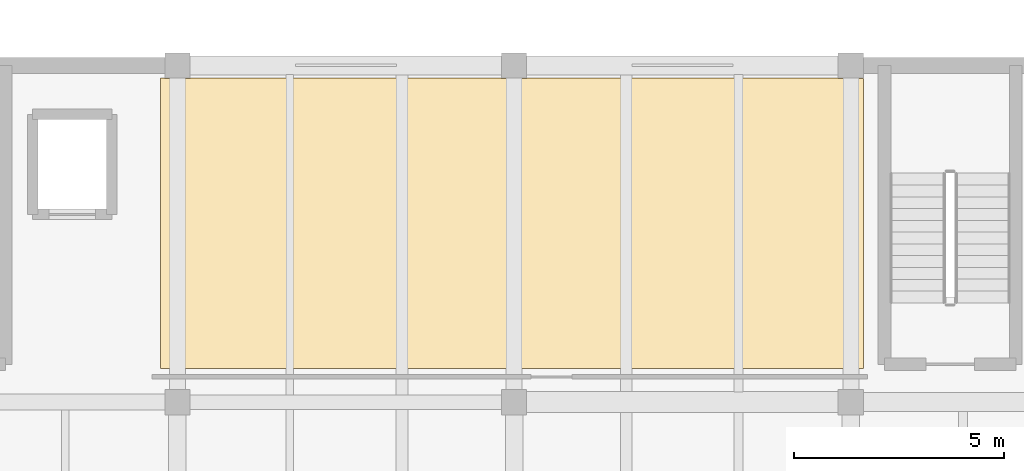
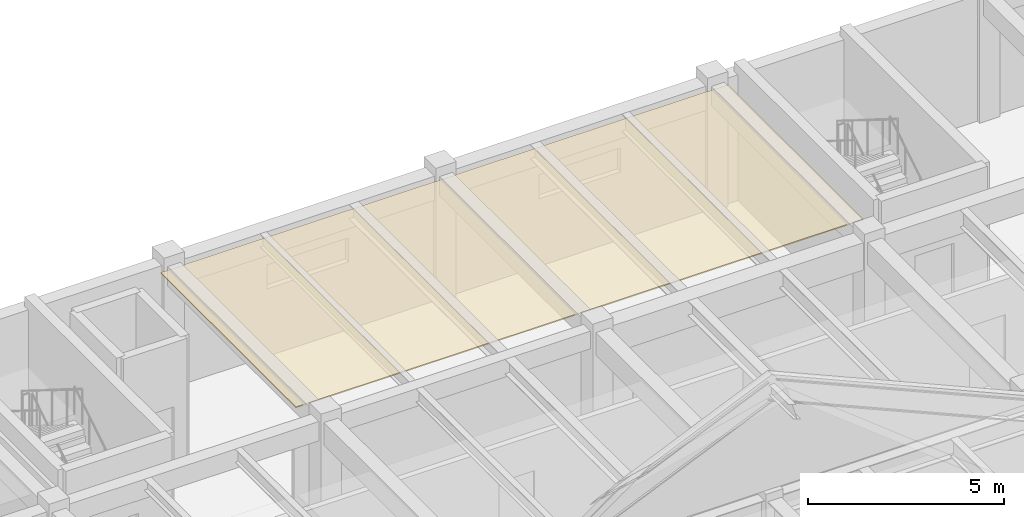
# One storey, part 60 of 67: 1 covering.
"""IFC4 building model written with IfcOpenShell, lengths in metres."""

from ifc_helpers import new_model, si_unit, direction, frame, origin, place, context, subcontext, project, spatial, polyline, outline, extrude, material, layer, layer_set, type_object, element, save


model = new_model("IFC4")

# Units and contexts
model_context = context("Model", 3, precision=1e-05, world=origin(), true_north=direction((0.0, 1.0)))
body_context = subcontext(model_context, "Body", "Model", "MODEL_VIEW")
ifc_project = project(units=[si_unit("LENGTHUNIT", "METRE"), si_unit("AREAUNIT", "SQUARE_METRE"), si_unit("VOLUMEUNIT", "CUBIC_METRE"), si_unit("PLANEANGLEUNIT", "RADIAN"), si_unit("MASSUNIT", "GRAM", prefix="KILO")], contexts=[model_context])

# Site, building, storey
site_placement = place(None, origin())
site = spatial("IfcSite", under=ifc_project, at=site_placement, CompositionType="ELEMENT")
building_placement = place(site_placement, origin())
building = spatial("IfcBuilding", under=site, at=building_placement, Name="Tlaxcora Railside Police Headquarters", CompositionType="ELEMENT")
storey_placement = place(building_placement, frame((0.0, 0.0, 4.800048828125)))
storey = spatial("IfcBuildingStorey", under=building, at=storey_placement, Name="L01", CompositionType="ELEMENT", Elevation=4.800048828125)

# Covering
ifc_material = material(Name="Mineral-fibre acoustic ceiling tile")
ifc_layer = layer(ifc_material, 0.034912109375, Name="Mineral-fibre acoustic ceiling tile")
ifc_layer_set = layer_set([ifc_layer], Name="Mineral-fibre acoustic ceiling tile")
covering_type = type_object("IfcCoveringType", Name="Acoustic Suspended Ceiling CLG-01", PredefinedType="CEILING", material=ifc_layer_set)
covering_placement = place(storey_placement, frame((0.0, 0.0, 3.764892578125)))
element("IfcCovering", 1, at=covering_placement, inside=storey, type_object=covering_type, Name="Case Review and Instructor Room L01 suspended ceiling", PredefinedType="CEILING", context=body_context, shape_type="SweptSolid", body=[
    extrude(outline(polyline([(118.489990234375, 51.699951171875), (118.39990234375, 51.699951171875), (118.39990234375, 44.800048828125), (135.10009765625, 44.800048828125), (135.10009765625, 51.68994140625), (134.489990234375, 51.68994140625), (134.489990234375, 51.699951171875), (127.110107421875, 51.699951171875), (127.110107421875, 51.68994140625), (126.489990234375, 51.68994140625), (126.489990234375, 51.699951171875), (119.110107421875, 51.699951171875), (119.110107421875, 51.68994140625), (118.489990234375, 51.68994140625), (118.489990234375, 51.699951171875)])), origin(), (0.0, 0.0, 1.0), 0.03515625),
])

save(model, "model.ifc")
